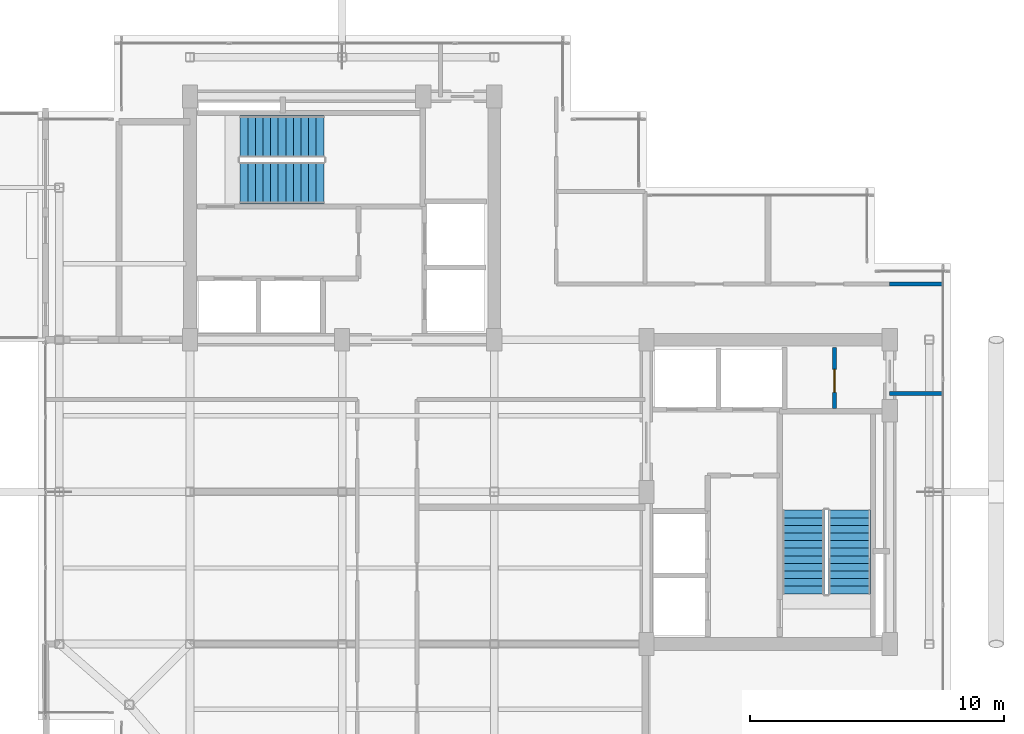
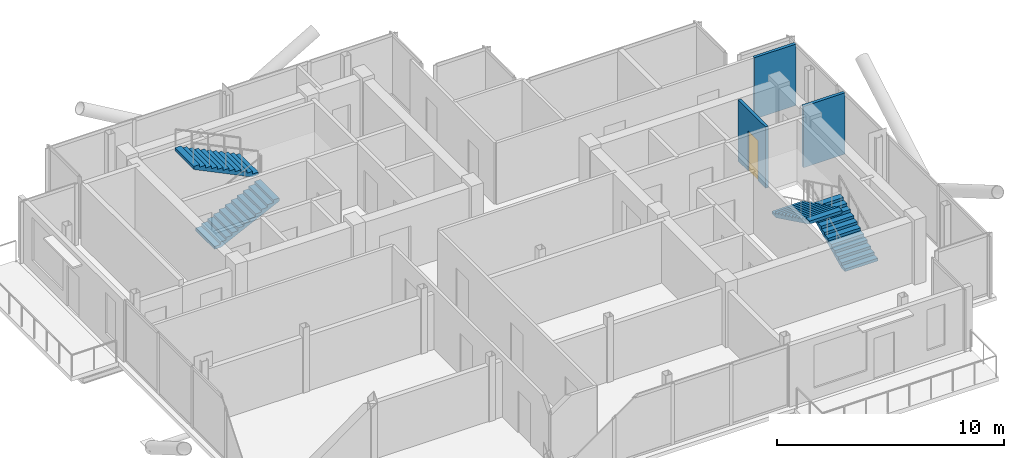
# One storey, part 16 of 18: 4 stair flights, 3 walls, 1 door, 1 opening, 2 elements without a shape of their own.
"""IFC4 building model written with IfcOpenShell, lengths in metres."""

import ifcopenshell
import ifcopenshell.guid

model = None  # the IFC model being written
_history = None  # IfcOwnerHistory: only IFC2X3 demands one
_inside = {}  # id of a spatial element -> (the spatial element, [elements in it])
_under = {}  # id of a project, library or spatial element -> (it, [spatial elements below it])
_declared = {}  # id of a project -> (the project, [libraries it declares])
_typed = {}  # id of a type object -> (the type object, [elements of that type])
_made_of = {}  # id of a material, layer set ... -> (it, [elements and type objects made of it])


def new_model(schema):
    """Start an empty IFC model of exactly this schema.

    Asked for "IFC4X3", IfcOpenShell would pick the latest addendum, in which some entities
    have other attributes; the version numbers below select the first issue.
    IFC2X3 requires an IfcOwnerHistory on every rooted entity: one is made here for all.
    """
    global model, _history
    if schema == "IFC4X3":
        model = ifcopenshell.file(schema_version=(4, 3, 0, 0))
    else:
        model = ifcopenshell.file(schema=schema)
    _inside.clear()
    _under.clear()
    _declared.clear()
    _typed.clear()
    _made_of.clear()
    _history = None
    if model.schema == "IFC2X3":
        org = make("IfcOrganization", Name="unknown")
        user = make(
            "IfcPersonAndOrganization",
            ThePerson=make("IfcPerson", FamilyName="unknown"),
            TheOrganization=org,
        )
        app = make(
            "IfcApplication",
            ApplicationDeveloper=org,
            Version="unknown",
            ApplicationFullName="unknown",
            ApplicationIdentifier="unknown",
        )
        _history = make(
            "IfcOwnerHistory",
            OwningUser=user,
            OwningApplication=app,
            ChangeAction="ADDED",
            CreationDate=0,
        )
    return model


def make(cls, **values):
    """One entity of the class cls with the attributes given. An attribute that is None is left unset."""
    return model.create_entity(
        cls, **{name: value for name, value in values.items() if value is not None}
    )


def rooted(cls, **values):
    """An entity with a GlobalId (a new one), such as an element, a storey or a relation."""
    return make(cls, GlobalId=ifcopenshell.guid.new(), OwnerHistory=_history, **values)


def si_unit(unit_type, name, prefix=None):
    """IfcSIUnit, for example si_unit("LENGTHUNIT", "METRE", prefix="MILLI")."""
    return make("IfcSIUnit", UnitType=unit_type, Prefix=prefix, Name=name)


def assignment(units):
    """IfcUnitAssignment: the units of a project."""
    return None if units is None else make("IfcUnitAssignment", Units=units)


def point(xyz):
    """IfcCartesianPoint."""
    return None if xyz is None else make("IfcCartesianPoint", Coordinates=xyz)


def direction(xyz):
    """IfcDirection."""
    return None if xyz is None else make("IfcDirection", DirectionRatios=xyz)


def frame(location, z_axis=None, x_axis=None):
    """IfcAxis2Placement3D, a coordinate frame: its origin and axes. An axis left out is left unset."""
    return make(
        "IfcAxis2Placement3D",
        Location=point(location),
        Axis=direction(z_axis),
        RefDirection=direction(x_axis),
    )


def frame_2d(location, x_axis=None):
    """IfcAxis2Placement2D, a coordinate frame in the plane: its origin and x axis."""
    return make(
        "IfcAxis2Placement2D", Location=point(location), RefDirection=direction(x_axis)
    )


def origin():
    """The frame at (0, 0, 0) with its axes left unset."""
    return frame((0.0, 0.0, 0.0))


def place(relative_to, where):
    """IfcLocalPlacement: puts the frame where relative to a parent placement (None: the world)."""
    return make(
        "IfcLocalPlacement", PlacementRelTo=relative_to, RelativePlacement=where
    )


def context(
    kind, dimensions, precision=None, world=None, true_north=None, identifier=None
):
    """IfcGeometricRepresentationContext, for example the 3D "Model" context."""
    return make(
        "IfcGeometricRepresentationContext",
        ContextIdentifier=identifier,
        ContextType=kind,
        CoordinateSpaceDimension=dimensions,
        Precision=precision,
        WorldCoordinateSystem=world,
        TrueNorth=true_north,
    )


def subcontext(parent, identifier, kind, view, scale=None):
    """IfcGeometricRepresentationSubContext, for example "Body" below "Model"."""
    return make(
        "IfcGeometricRepresentationSubContext",
        ContextIdentifier=identifier,
        ContextType=kind,
        ParentContext=parent,
        TargetScale=scale,
        TargetView=view,
    )


def project(units=None, contexts=None):
    """IfcProject with its units and contexts."""
    return rooted(
        "IfcProject",
        Name="project",
        RepresentationContexts=contexts,
        UnitsInContext=assignment(units),
    )


def spatial(cls, under=None, at=None, **own):
    """A site, building, storey or space (cls), placed at a placement, below another one or the project."""
    s = rooted(cls, ObjectPlacement=at, **own)
    if under is not None:
        _under.setdefault(under.id(), (under, []))[1].append(s)
    return s


def polyline(points):
    """IfcPolyline through the points."""
    return make("IfcPolyline", Points=[point(p) for p in points])


def profile(cls, at=None, kind="AREA", **sizes):
    """A parametric profile (cls). Its sizes go by their IFC names, for example OverallWidth=200.0."""
    return make(cls, ProfileType=kind, Position=at, **sizes)


def rectangle(**sizes):
    """IfcRectangleProfileDef."""
    return profile("IfcRectangleProfileDef", **sizes)


def outline(outer, holes=None, kind="AREA"):
    """IfcArbitraryClosedProfileDef: a profile drawn as a closed curve; with holes, ...WithVoids."""
    if holes is None:
        return make("IfcArbitraryClosedProfileDef", ProfileType=kind, OuterCurve=outer)
    return make(
        "IfcArbitraryProfileDefWithVoids",
        ProfileType=kind,
        OuterCurve=outer,
        InnerCurves=holes,
    )


def extrude(swept, where, along, depth):
    """IfcExtrudedAreaSolid: the profile swept, set in the frame where, extruded along a direction by depth."""
    return make(
        "IfcExtrudedAreaSolid",
        SweptArea=swept,
        Position=where,
        ExtrudedDirection=direction(along),
        Depth=depth,
    )


def shape(context_of_items, identifier, shape_type, items):
    """IfcShapeRepresentation: the items that make up one representation, for example the "Body"."""
    return make(
        "IfcShapeRepresentation",
        ContextOfItems=context_of_items,
        RepresentationIdentifier=identifier,
        RepresentationType=shape_type,
        Items=items,
    )


def material(Name=None, Category=None):
    """IfcMaterial."""
    return make("IfcMaterial", Name=Name, Category=Category)


def layer(
    of_material, thickness, ventilated=None, Name=None, Category=None, Priority=None
):
    """IfcMaterialLayer: one layer of a wall or slab, of a material (None: an air gap)."""
    return make(
        "IfcMaterialLayer",
        Material=of_material,
        LayerThickness=thickness,
        IsVentilated=ventilated,
        Name=Name,
        Category=Category,
        Priority=Priority,
    )


def layer_set(layers, Name=None):
    """IfcMaterialLayerSet."""
    return make("IfcMaterialLayerSet", MaterialLayers=layers, LayerSetName=Name)


def made_of(thing, what):
    """Note that an element or type object is made of a material, layer set ...; save() writes the relation."""
    if what is not None:
        _made_of.setdefault(what.id(), (what, []))[1].append(thing)
    return thing


def type_object(cls, material=None, **own):
    """A type object (cls), such as IfcWallType, which elements share."""
    return made_of(rooted(cls, **own), material)


def element(
    cls,
    number,
    at=None,
    inside=None,
    cuts=None,
    type_object=None,
    material=None,
    context=None,
    identifier="Body",
    shape_type=None,
    held_by="IfcProductDefinitionShape",
    body=None,
    shapes=None,
    **own,
):
    """One element of the class cls, such as IfcWall. Its Tag is "e" and its number.

    at: its placement. inside: the storey or other place that contains it. cuts: it is an
    opening in that element (IfcRelVoidsElement). A single representation is given by context,
    identifier, shape_type and body (its items); several are given by shapes. held_by: the class
    of the entity that holds the representations. save() writes the other relations.
    """
    e = rooted(cls, Tag="e%d" % number, ObjectPlacement=at, **own)
    if body is not None:
        shapes = [shape(context, identifier, shape_type, body)]
    if shapes is not None:
        e.Representation = make(held_by, Representations=shapes)
    if inside is not None:
        _inside.setdefault(inside.id(), (inside, []))[1].append(e)
    if cuts is not None:
        rooted(
            "IfcRelVoidsElement", RelatingBuildingElement=cuts, RelatedOpeningElement=e
        )
    if type_object is not None:
        _typed.setdefault(type_object.id(), (type_object, []))[1].append(e)
    return made_of(e, material)


def fill(opening, filler):
    """IfcRelFillsElement: the door or window that sits in an opening."""
    return rooted(
        "IfcRelFillsElement",
        RelatingOpeningElement=opening,
        RelatedBuildingElement=filler,
    )


def aggregate(whole, parts):
    """IfcRelAggregates: a whole, such as a stair, and the parts it consists of."""
    return rooted("IfcRelAggregates", RelatingObject=whole, RelatedObjects=parts)


def save(model, path):
    """Write the relations noted so far, then the file.

    IfcRelAggregates (storeys below a building ...), IfcRelContainedInSpatialStructure (elements
    in a storey), IfcRelDefinesByType, IfcRelAssociatesMaterial and IfcRelDeclares: one each for
    every whole, place, type object, material and project.
    """
    for whole, parts in _under.values():
        aggregate(whole, parts)
    for where, things in _inside.values():
        rooted(
            "IfcRelContainedInSpatialStructure",
            RelatedElements=things,
            RelatingStructure=where,
        )
    for kind, things in _typed.values():
        rooted("IfcRelDefinesByType", RelatedObjects=things, RelatingType=kind)
    for what, things in _made_of.values():
        rooted("IfcRelAssociatesMaterial", RelatedObjects=things, RelatingMaterial=what)
    for by, libraries in _declared.values():
        rooted("IfcRelDeclares", RelatingContext=by, RelatedDefinitions=libraries)
    model.write(path)


model = new_model("IFC4")

# Units and contexts
model_context = context("Model", 3, precision=1e-05, world=origin(), true_north=direction((0.0, 1.0)))
body_context = subcontext(model_context, "Body", "Model", "MODEL_VIEW")
ifc_project = project(units=[si_unit("LENGTHUNIT", "METRE"), si_unit("AREAUNIT", "SQUARE_METRE"), si_unit("VOLUMEUNIT", "CUBIC_METRE"), si_unit("PLANEANGLEUNIT", "RADIAN"), si_unit("MASSUNIT", "GRAM", prefix="KILO"), si_unit("THERMODYNAMICTEMPERATUREUNIT", "KELVIN"), si_unit("POWERUNIT", "WATT")], contexts=[model_context])

# Site, building, storey
site_placement = place(None, origin())
site = spatial("IfcSite", under=ifc_project, at=site_placement, CompositionType="ELEMENT")
building_placement = place(site_placement, origin())
building = spatial("IfcBuilding", under=site, at=building_placement, Name="Svarakhadi Broadcast Tower", CompositionType="ELEMENT")
storey_placement = place(building_placement, frame((0.0, 0.0, 288.699951171875)))
storey = spatial("IfcBuildingStorey", under=building, at=storey_placement, Name="L73", CompositionType="ELEMENT", Elevation=288.699951171875)

# Wall, opening, door
ifc_material_1 = material(Name="Autoclaved Aerated Concrete Blockwork 150 mm", Category="masonry")
ifc_layer = layer(ifc_material_1, 0.14990234375)
ifc_layer_set = layer_set([ifc_layer], Name="Autoclaved Aerated Concrete Blockwork 150 mm")
wall_type = type_object("IfcWallType", Name="Wall_Part_150", PredefinedType="PARTITIONING", material=ifc_layer_set)
wall_placement = place(storey_placement, frame((31.419921875, 15.280029296875, 0.0), z_axis=(0.0, 0.0, 1.0), x_axis=(0.0, 1.0, 0.0)))
wall = element("IfcWall", 1, at=wall_placement, inside=storey, type_object=wall_type, Name="L73 Core Service Split Wall", PredefinedType="PARTITIONING", context=body_context, shape_type="SweptSolid", body=[
    extrude(rectangle(XDim=2.419921875, YDim=0.14990234375, at=frame_2d((1.2099609375, 0.0))), origin(), (0.0, 0.0, 1.0), 3.300048828125),
])
opening_placement = place(wall_placement, frame((0.64990234375, 0.0, 0.0)))
opening = element("IfcOpeningElement", 2, at=opening_placement, cuts=wall, Name="Opening D-04", PredefinedType="OPENING", context=body_context, shape_type="SweptSolid", body=[
    extrude(rectangle(XDim=0.89990234375, YDim=2.14990234375, at=frame_2d((0.449951171875, 1.074951171875))), frame((0.0, 0.0849609375, 0.0), z_axis=(0.0, -1.0, 0.0), x_axis=(1.0, 0.0, 0.0)), (0.0, 0.0, 1.0), 0.169921875),
])
ifc_material_2 = material(Name="Galvanised Powder-Coated Fire-Rated Steel Leaf", Category="steel")
door_type = type_object("IfcDoorType", Name="Door_Fire_D04", OperationType="SINGLE_SWING_RIGHT", PredefinedType="DOOR", material=ifc_material_2)
door_placement = place(opening_placement, origin())
door = element("IfcDoor", 3, at=door_placement, inside=storey, type_object=door_type, Name="L73 Core Inner Riser Store Door", OperationType="SINGLE_SWING_RIGHT", OverallHeight=2.14990234375, OverallWidth=0.89990234375, PredefinedType="DOOR", context=body_context, shape_type="SweptSolid", body=[
    extrude(rectangle(XDim=0.89990234375, YDim=2.14990234375, at=frame_2d((0.449951171875, 1.074951171875))), frame((0.0, 0.02490234375, 0.0), z_axis=(0.0, -1.0, 0.0), x_axis=(1.0, 0.0, 0.0)), (0.0, 0.0, 1.0), 0.050048828125),
])
fill(opening, door)

# Walls
for number, where, z_axis, x_axis, name in (
    (4, (33.580078125, 20.199951171875, 0.0), (0.0, 0.0, 1.0), (1.0, 0.0, 0.0), "L73 Upper Tower Concourse Wall"),
    (5, (35.699951171875, 15.8798828125, 0.0), (0.0, 0.0, 1.0), (-1.0, 0.0, 0.0), "L73 Upper Tower Concourse Wall"),
):
    element("IfcWall", number, at=place(storey_placement, frame(where, z_axis=z_axis, x_axis=x_axis)), inside=storey, type_object=wall_type, Name=name, PredefinedType="PARTITIONING", context=body_context, shape_type="SweptSolid", body=[
        extrude(rectangle(XDim=2.119873046875, YDim=0.14990234375, at=frame_2d((1.06005859375, 0.0))), origin(), (0.0, 0.0, 1.0), 3.300048828125),
    ])

# Stair, stair flights
ifc_material_3 = material(Name="Concrete C40/50 (IS 456 M50)", Category="concrete")
stair_type = type_object("IfcStairType", Name="Stair_Exit_Core", PredefinedType="HALF_TURN_STAIR", material=ifc_material_3)
stair_1_placement = place(storey_placement, origin())
stair_1 = element("IfcStair", 6, at=stair_1_placement, inside=storey, type_object=stair_type, Name="L73 West Core Protected Exit Stair ST-01", PredefinedType="HALF_TURN_STAIR")
stair_flight_type = type_object("IfcStairFlightType", Name="Flight_RC_1680", PredefinedType="STRAIGHT", material=ifc_material_3)
stair_flight_1_placement = place(storey_placement, frame((7.97998046875, 24.18994140625, 0.0), z_axis=(0.0, 0.0, 1.0), x_axis=(1.0, 0.0, 0.0)))
stair_flight_1 = element("IfcStairFlight", 7, at=stair_flight_1_placement, type_object=stair_flight_type, Name="ST-01 flight 1", NumberOfRisers=12, NumberOfTreads=11, PredefinedType="STRAIGHT", RiserHeight=0.145833333, TreadLength=0.3, context=body_context, shape_type="SweptSolid", body=[
    extrude(outline(polyline([(0.0, 0.0), (0.0, 0.145751953125), (0.300048828125, 0.145751953125), (0.300048828125, 0.291748046875), (0.60009765625, 0.291748046875), (0.60009765625, 0.4375), (0.89990234375, 0.4375), (0.89990234375, 0.583251953125), (1.199951171875, 0.583251953125), (1.199951171875, 0.729248046875), (1.5, 0.729248046875), (1.5, 0.875), (1.800048828125, 0.875), (1.800048828125, 1.020751953125), (2.10009765625, 1.020751953125), (2.10009765625, 1.166748046875), (2.39990234375, 1.166748046875), (2.39990234375, 1.3125), (2.699951171875, 1.3125), (2.699951171875, 1.458251953125), (3.0, 1.458251953125), (3.0, 1.604248046875), (3.300048828125, 1.604248046875), (3.300048828125, 1.75), (3.300048828125, 1.4375), (0.3427734375, 0.0), (0.0, 0.0)])), frame((0.0, 0.830078125, 0.0), z_axis=(0.0, -1.0, 0.0), x_axis=(1.0, 0.0, 0.0)), (0.0, 0.0, 1.0), 1.659912109375),
])
stair_flight_2_placement = place(storey_placement, frame((11.280029296875, 26.010009765625, 1.75), z_axis=(0.0, 0.0, 1.0), x_axis=(-1.0, 0.0, 0.0)))
stair_flight_2 = element("IfcStairFlight", 8, at=stair_flight_2_placement, type_object=stair_flight_type, Name="ST-01 flight 2", NumberOfRisers=12, NumberOfTreads=11, PredefinedType="STRAIGHT", RiserHeight=0.145833333, TreadLength=0.3, context=body_context, shape_type="SweptSolid", body=[
    extrude(outline(polyline([(0.0, 0.0), (0.0, 0.145751953125), (0.300048828125, 0.145751953125), (0.300048828125, 0.291748046875), (0.60009765625, 0.291748046875), (0.60009765625, 0.4375), (0.89990234375, 0.4375), (0.89990234375, 0.583251953125), (1.199951171875, 0.583251953125), (1.199951171875, 0.729248046875), (1.5, 0.729248046875), (1.5, 0.875), (1.800048828125, 0.875), (1.800048828125, 1.020751953125), (2.10009765625, 1.020751953125), (2.10009765625, 1.166748046875), (2.39990234375, 1.166748046875), (2.39990234375, 1.3125), (2.699951171875, 1.3125), (2.699951171875, 1.458251953125), (3.0, 1.458251953125), (3.0, 1.604248046875), (3.300048828125, 1.604248046875), (3.300048828125, 1.75), (3.300048828125, 1.4375), (0.3427734375, 0.0), (0.0, 0.0)])), frame((0.0, 0.830078125, 0.0), z_axis=(0.0, -1.0, 0.0), x_axis=(1.0, 0.0, 0.0)), (0.0, 0.0, 1.0), 1.659912109375),
])
aggregate(stair_1, [stair_flight_1, stair_flight_2])

stair_2_placement = place(storey_placement, origin())
stair_2 = element("IfcStair", 9, at=stair_2_placement, inside=storey, type_object=stair_type, Name="L73 East Core Protected Exit Stair ST-02", PredefinedType="HALF_TURN_STAIR")
stair_flight_3_placement = place(storey_placement, frame((32.010009765625, 7.97998046875, 0.0), z_axis=(0.0, 0.0, 1.0), x_axis=(0.0, 1.0, 0.0)))
stair_flight_3 = element("IfcStairFlight", 10, at=stair_flight_3_placement, type_object=stair_flight_type, Name="ST-02 flight 1", NumberOfRisers=12, NumberOfTreads=11, PredefinedType="STRAIGHT", RiserHeight=0.145833333, TreadLength=0.3, context=body_context, shape_type="SweptSolid", body=[
    extrude(outline(polyline([(0.0, 0.0), (0.0, 0.145751953125), (0.300048828125, 0.145751953125), (0.300048828125, 0.291748046875), (0.60009765625, 0.291748046875), (0.60009765625, 0.4375), (0.89990234375, 0.4375), (0.89990234375, 0.583251953125), (1.199951171875, 0.583251953125), (1.199951171875, 0.729248046875), (1.5, 0.729248046875), (1.5, 0.875), (1.800048828125, 0.875), (1.800048828125, 1.020751953125), (2.10009765625, 1.020751953125), (2.10009765625, 1.166748046875), (2.39990234375, 1.166748046875), (2.39990234375, 1.3125), (2.699951171875, 1.3125), (2.699951171875, 1.458251953125), (3.0, 1.458251953125), (3.0, 1.604248046875), (3.300048828125, 1.604248046875), (3.300048828125, 1.75), (3.300048828125, 1.4375), (0.3427734375, 0.0), (0.0, 0.0)])), frame((0.0, 0.830078125, 0.0), z_axis=(0.0, -1.0, 0.0), x_axis=(1.0, 0.0, 0.0)), (0.0, 0.0, 1.0), 1.659912109375),
])
stair_flight_4_placement = place(storey_placement, frame((30.18994140625, 11.280029296875, 1.75), z_axis=(0.0, 0.0, 1.0), x_axis=(0.0, -1.0, 0.0)))
stair_flight_4 = element("IfcStairFlight", 11, at=stair_flight_4_placement, type_object=stair_flight_type, Name="ST-02 flight 2", NumberOfRisers=12, NumberOfTreads=11, PredefinedType="STRAIGHT", RiserHeight=0.145833333, TreadLength=0.3, context=body_context, shape_type="SweptSolid", body=[
    extrude(outline(polyline([(0.0, 0.0), (0.0, 0.145751953125), (0.300048828125, 0.145751953125), (0.300048828125, 0.291748046875), (0.60009765625, 0.291748046875), (0.60009765625, 0.4375), (0.89990234375, 0.4375), (0.89990234375, 0.583251953125), (1.199951171875, 0.583251953125), (1.199951171875, 0.729248046875), (1.5, 0.729248046875), (1.5, 0.875), (1.800048828125, 0.875), (1.800048828125, 1.020751953125), (2.10009765625, 1.020751953125), (2.10009765625, 1.166748046875), (2.39990234375, 1.166748046875), (2.39990234375, 1.3125), (2.699951171875, 1.3125), (2.699951171875, 1.458251953125), (3.0, 1.458251953125), (3.0, 1.604248046875), (3.300048828125, 1.604248046875), (3.300048828125, 1.75), (3.300048828125, 1.4375), (0.3427734375, 0.0), (0.0, 0.0)])), frame((0.0, 0.830078125, 0.0), z_axis=(0.0, -1.0, 0.0), x_axis=(1.0, 0.0, 0.0)), (0.0, 0.0, 1.0), 1.659912109375),
])
aggregate(stair_2, [stair_flight_3, stair_flight_4])

save(model, "model.ifc")
